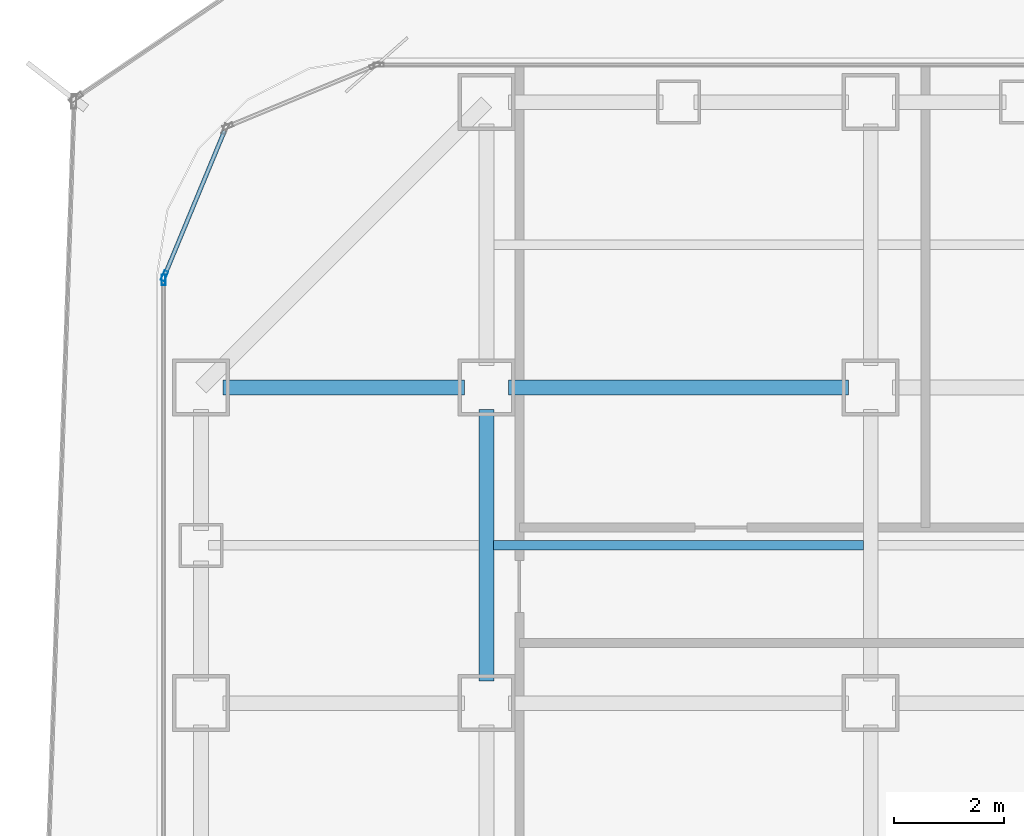
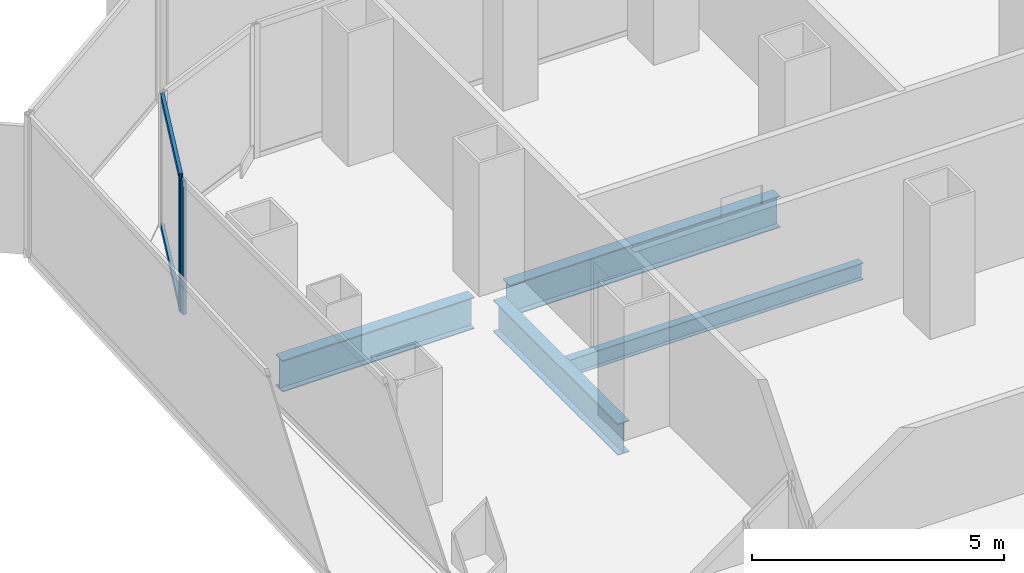
# One storey, part 10 of 22: 4 beams, 4 members, 2 elements without a shape of their own.
"""IFC4 building model written with IfcOpenShell, lengths in metres."""

from ifc_helpers import new_model, si_unit, direction, frame, origin, origin_2d, place, context, subcontext, project, spatial, hollow_rectangle, i_section, extrude, source, transform, mapped, material, layer, layer_set, material_profile, profile_set, type_object, element, aggregate, save


model = new_model("IFC4")

# Units and contexts
model_context = context("Model", 3, precision=1e-05, world=origin(), true_north=direction((0.0, 1.0)))
body_context = subcontext(model_context, "Body", "Model", "MODEL_VIEW")
ifc_project = project(units=[si_unit("LENGTHUNIT", "METRE"), si_unit("AREAUNIT", "SQUARE_METRE"), si_unit("VOLUMEUNIT", "CUBIC_METRE"), si_unit("PLANEANGLEUNIT", "RADIAN"), si_unit("MASSUNIT", "GRAM", prefix="KILO")], contexts=[model_context])

# Site, building, storey
site_placement = place(None, origin())
site = spatial("IfcSite", under=ifc_project, at=site_placement, CompositionType="ELEMENT")
building_placement = place(site_placement, origin())
building = spatial("IfcBuilding", under=site, at=building_placement, Name="Kolveth Station Tower", CompositionType="ELEMENT")
storey_placement = place(building_placement, frame((0.0, 0.0, 84.60009765625)))
storey = spatial("IfcBuildingStorey", under=building, at=storey_placement, Name="L22", CompositionType="ELEMENT", Elevation=84.60009765625)

# Beams
ifc_material_1 = material(Name="Steel S355", Category="steel")
ifc_material_profile_1 = material_profile(ifc_material_1, i_section(OverallWidth=0.26708984375, OverallDepth=0.76611328125, WebThickness=0.014892578125, FlangeThickness=0.023681640625, at=origin_2d()), Name="W760x185")
ifc_profile_set_1 = profile_set([ifc_material_profile_1], Name="Steel S355")
beam_type_1 = type_object("IfcBeamType", Name="Beam_B3", PredefinedType="BEAM", material=ifc_profile_set_1)
shared_shape_1 = source(origin(), body_context, "Body", "SweptSolid", [
    extrude(i_section(OverallWidth=0.26708984375, OverallDepth=0.76611328125, WebThickness=0.014892578125, FlangeThickness=0.023681640625, at=origin_2d()), origin(), (0.0, 0.0, 1.0), 4.400146484375),
])
beam_1_placement = place(storey_placement, frame((1.199951171875, 34.5, -0.6630859375), z_axis=(1.0, 0.0, 0.0), x_axis=(0.0, 1.0, 0.0)))
element("IfcBeam", 1, at=beam_1_placement, inside=storey, type_object=beam_type_1, Name="L22 Primary Girder BM-L22-GY345-1", PredefinedType="BEAM", context=body_context, shape_type="MappedRepresentation", body=[
    mapped(shared_shape_1, transform((0.0, 0.0, 0.0), x_axis=(1.0, 0.0, 0.0), y_axis=(0.0, 1.0, 0.0), z_axis=(0.0, 0.0, 1.0), scale=1.0)),
])
shared_shape_2 = source(origin(), body_context, "Body", "SweptSolid", [
    extrude(i_section(OverallWidth=0.26708984375, OverallDepth=0.76611328125, WebThickness=0.014892578125, FlangeThickness=0.023681640625, at=origin_2d()), origin(), (0.0, 0.0, 1.0), 6.2001953125),
])
beam_2_placement = place(storey_placement, frame((6.39990234375, 34.5, -0.6630859375), z_axis=(1.0, 0.0, 0.0), x_axis=(0.0, 1.0, 0.0)))
element("IfcBeam", 2, at=beam_2_placement, inside=storey, type_object=beam_type_1, Name="L22 Primary Girder BM-L22-GY345-2", PredefinedType="BEAM", context=body_context, shape_type="MappedRepresentation", body=[
    mapped(shared_shape_2, transform((0.0, 0.0, 0.0), x_axis=(1.0, 0.0, 0.0), y_axis=(0.0, 1.0, 0.0), z_axis=(0.0, 0.0, 1.0), scale=1.0)),
])
shared_shape_3 = source(origin(), body_context, "Body", "SweptSolid", [
    extrude(i_section(OverallWidth=0.26708984375, OverallDepth=0.76611328125, WebThickness=0.014892578125, FlangeThickness=0.023681640625, at=origin_2d()), origin(), (0.0, 0.0, 1.0), 4.9501953125),
])
beam_3_placement = place(storey_placement, frame((6.0, 29.14990234375, -0.6630859375), z_axis=(0.0, 1.0, 0.0), x_axis=(-1.0, 0.0, 0.0)))
element("IfcBeam", 3, at=beam_3_placement, inside=storey, type_object=beam_type_1, Name="L22 Primary Girder BM-L22-GX60-6", PredefinedType="BEAM", context=body_context, shape_type="MappedRepresentation", body=[
    mapped(shared_shape_3, transform((0.0, 0.0, 0.0), x_axis=(1.0, 0.0, 0.0), y_axis=(0.0, 1.0, 0.0), z_axis=(0.0, 0.0, 1.0), scale=1.0)),
])
ifc_material_profile_2 = material_profile(ifc_material_1, i_section(OverallWidth=0.177978515625, OverallDepth=0.406982421875, WebThickness=0.0078125, FlangeThickness=0.0126953125, at=origin_2d()), Name="W410x60")
ifc_profile_set_2 = profile_set([ifc_material_profile_2], Name="Steel S355")
beam_type_2 = type_object("IfcBeamType", Name="Beam_J1", PredefinedType="JOIST", material=ifc_profile_set_2)
shared_shape_4 = source(origin(), body_context, "Body", "SweptSolid", [
    extrude(i_section(OverallWidth=0.177978515625, OverallDepth=0.406982421875, WebThickness=0.0078125, FlangeThickness=0.0126953125, at=origin_2d()), origin(), (0.0, 0.0, 1.0), 6.73681640625),
])
beam_4_placement = place(storey_placement, frame((6.131591796875, 31.625, -0.483642578125), z_axis=(1.0, 0.0, 0.0), x_axis=(0.0, 1.0, 0.0)))
element("IfcBeam", 4, at=beam_4_placement, inside=storey, type_object=beam_type_2, Name="L22 Secondary Joist JST-L22-2-6", PredefinedType="JOIST", context=body_context, shape_type="MappedRepresentation", body=[
    mapped(shared_shape_4, transform((0.0, 0.0, 0.0), x_axis=(1.0, 0.0, 0.0), y_axis=(0.0, 1.0, 0.0), z_axis=(0.0, 0.0, 1.0), scale=1.0)),
])

# Curtain wall, members
ifc_material_2 = material(Name="Aluminium 6063-T6 and low-E dark glass", Category="aluminium")
ifc_layer = layer(ifc_material_2, 0.179931640625)
ifc_layer_set = layer_set([ifc_layer], Name="Aluminium 6063-T6 and low-E dark glass")
curtain_wall_type = type_object("IfcCurtainWallType", Name="CurtainWall_CW-Z1", PredefinedType="NOTDEFINED", material=ifc_layer_set)
curtain_wall_1_placement = place(storey_placement, origin())
curtain_wall_1 = element("IfcCurtainWall", 5, at=curtain_wall_1_placement, inside=storey, type_object=curtain_wall_type, Name="L22 Inner Thermal Curtain Wall 8", PredefinedType="NOTDEFINED")
ifc_material_3 = material(Name="Black anodized aluminium 6063-T6", Category="aluminium")
ifc_material_profile_3 = material_profile(ifc_material_3, hollow_rectangle(XDim=0.074951171875, YDim=0.159912109375, WallThickness=0.0048828125, at=origin_2d()), Name="ALU-75x160x5")
ifc_profile_set_3 = profile_set([ifc_material_profile_3], Name="Black anodized aluminium 6063-T6")
member_type_1 = type_object("IfcMemberType", Name="Transom_TR1", PredefinedType="USERDEFINED", material=ifc_profile_set_3)
shared_shape_5 = source(origin(), body_context, "Body", "SweptSolid", [
    extrude(hollow_rectangle(XDim=0.074951171875, YDim=0.159912109375, WallThickness=0.0048828125, at=origin_2d()), origin(), (0.0, 0.0, 1.0), 2.819580078125),
])
member_1_placement = place(storey_placement, frame((1.227783203125, 39.17431640625, 0.037353515625), z_axis=(-0.382708655389, -0.923869084389, 0.0), x_axis=(0.923869084389, -0.382708655389, 0.0)))
member_1 = element("IfcMember", 6, at=member_1_placement, type_object=member_type_1, Name="CW-Z1 transom 1.1", ObjectType="TRANSOM", PredefinedType="USERDEFINED", context=body_context, shape_type="MappedRepresentation", body=[
    mapped(shared_shape_5, transform((0.0, 0.0, 0.0), x_axis=(1.0, 0.0, 0.0), y_axis=(0.0, 1.0, 0.0), z_axis=(0.0, 0.0, 1.0), scale=1.0)),
])
member_2_placement = place(storey_placement, frame((1.227783203125, 39.17431640625, 3.202392578125), z_axis=(-0.382708655389, -0.923869084389, 0.0), x_axis=(0.923869084389, -0.382708655389, 0.0)))
member_2 = element("IfcMember", 7, at=member_2_placement, type_object=member_type_1, Name="CW-Z1 transom 1.2", ObjectType="TRANSOM", PredefinedType="USERDEFINED", context=body_context, shape_type="MappedRepresentation", body=[
    mapped(shared_shape_5, transform((0.0, 0.0, 0.0), x_axis=(1.0, 0.0, 0.0), y_axis=(0.0, 1.0, 0.0), z_axis=(0.0, 0.0, 1.0), scale=1.0)),
])
ifc_material_profile_4 = material_profile(ifc_material_3, hollow_rectangle(XDim=0.074951171875, YDim=0.18994140625, WallThickness=0.0048828125, at=origin_2d()), Name="ALU-75x190x5")
ifc_profile_set_4 = profile_set([ifc_material_profile_4], Name="Black anodized aluminium 6063-T6")
member_type_2 = type_object("IfcMemberType", Name="Mullion_ML1", PredefinedType="MULLION", material=ifc_profile_set_4)
shared_shape_6 = source(origin(), body_context, "Body", "SweptSolid", [
    extrude(hollow_rectangle(XDim=0.074951171875, YDim=0.18994140625, WallThickness=0.0048828125, at=origin_2d()), origin(), (0.0, 0.0, 1.0), 3.239990234375),
])
member_3_placement = place(storey_placement, frame((0.13427734375, 36.53466796875, 0.0), z_axis=(0.0, 0.0, 1.0), x_axis=(0.923883857728, -0.382672990201, 0.0)))
member_3 = element("IfcMember", 8, at=member_3_placement, type_object=member_type_2, Name="CW-Z1 mullion 2", PredefinedType="MULLION", context=body_context, shape_type="MappedRepresentation", body=[
    mapped(shared_shape_6, transform((0.0, 0.0, 0.0), x_axis=(1.0, 0.0, 0.0), y_axis=(0.0, 1.0, 0.0), z_axis=(0.0, 0.0, 1.0), scale=1.0)),
])
aggregate(curtain_wall_1, [member_3, member_1, member_2])

# Curtain wall, member
curtain_wall_2_placement = place(storey_placement, origin())
curtain_wall_2 = element("IfcCurtainWall", 9, at=curtain_wall_2_placement, inside=storey, type_object=curtain_wall_type, Name="L22 Inner Thermal Curtain Wall 9", PredefinedType="NOTDEFINED")
member_4_placement = place(storey_placement, frame((0.1201171875, 36.46240234375, 0.0), z_axis=(0.0, 0.0, 1.0), x_axis=(1.0, 0.0, 0.0)))
member_4 = element("IfcMember", 10, at=member_4_placement, type_object=member_type_2, Name="CW-Z1 mullion 1", PredefinedType="MULLION", context=body_context, shape_type="MappedRepresentation", body=[
    mapped(shared_shape_6, transform((0.0, 0.0, 0.0), x_axis=(1.0, 0.0, 0.0), y_axis=(0.0, 1.0, 0.0), z_axis=(0.0, 0.0, 1.0), scale=1.0)),
])
aggregate(curtain_wall_2, [member_4])

save(model, "model.ifc")
